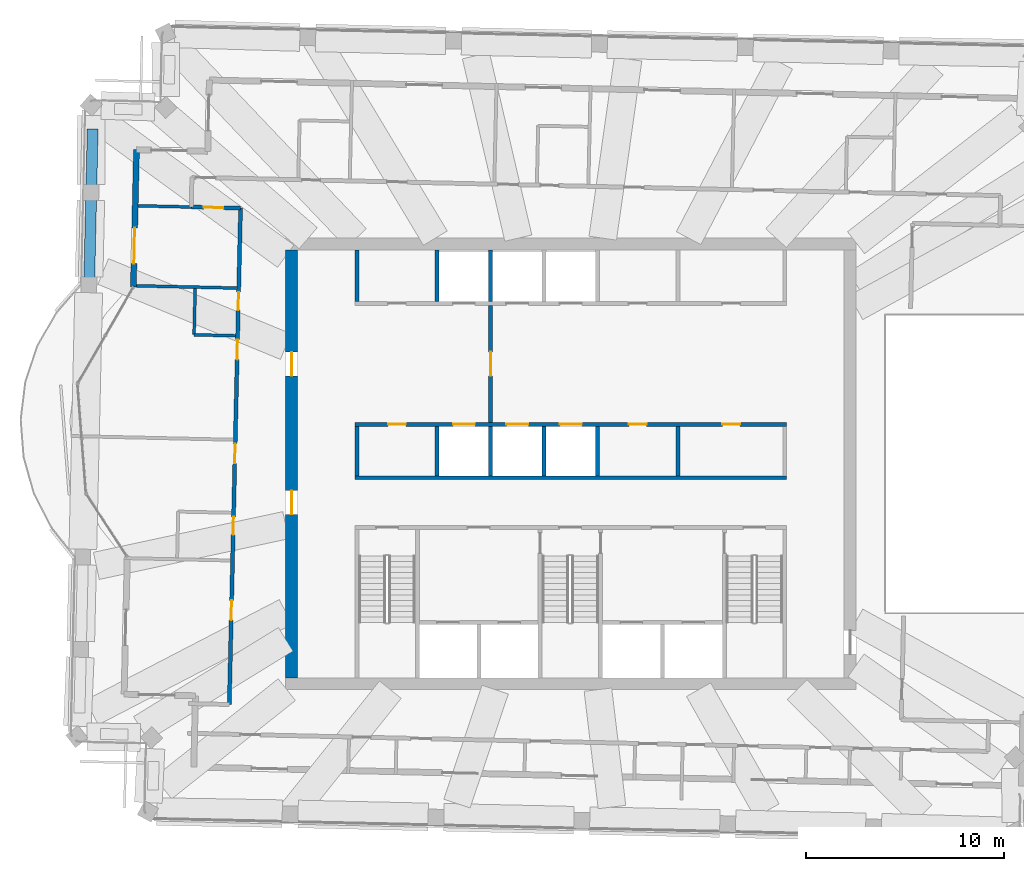
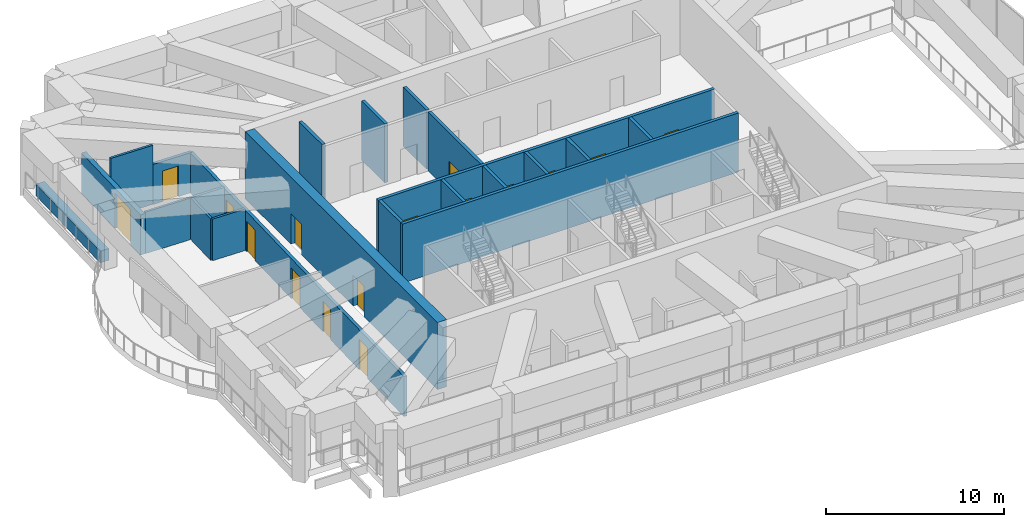
# One storey, part 10 of 19: 21 walls, 16 doors, 16 openings.
"""IFC4 building model written with IfcOpenShell, lengths in metres."""

from ifc_helpers import new_model, si_unit, direction, frame, frame_2d, origin, place, context, subcontext, project, spatial, rectangle, extrude, material, layer, layer_set, type_object, element, fill, save


model = new_model("IFC4")

# Units and contexts
model_context = context("Model", 3, precision=1e-05, world=origin(), true_north=direction((0.0, 1.0)))
body_context = subcontext(model_context, "Body", "Model", "MODEL_VIEW")
ifc_project = project(units=[si_unit("LENGTHUNIT", "METRE"), si_unit("AREAUNIT", "SQUARE_METRE"), si_unit("VOLUMEUNIT", "CUBIC_METRE"), si_unit("PLANEANGLEUNIT", "RADIAN"), si_unit("MASSUNIT", "GRAM", prefix="KILO")], contexts=[model_context])

# Site, building, storey
site_placement = place(None, origin())
site = spatial("IfcSite", under=ifc_project, at=site_placement, CompositionType="ELEMENT")
building_placement = place(site_placement, origin())
building = spatial("IfcBuilding", under=site, at=building_placement, Name="Mangrove Gate Tower", CompositionType="ELEMENT")
storey_placement = place(building_placement, frame((0.0, 0.0, 346.10009765625)))
storey = spatial("IfcBuildingStorey", under=building, at=storey_placement, Name="L88", CompositionType="ELEMENT", Elevation=346.10009765625)

# Wall, opening, door
ifc_material_1 = material(Name="Concrete C32/40", Category="concrete")
ifc_layer_1 = layer(ifc_material_1, 0.199951171875)
ifc_layer_set_1 = layer_set([ifc_layer_1], Name="Core lobby wall 200 C32/40")
wall_type_1 = type_object("IfcWallType", Name="Core lobby wall 200 C32/40", PredefinedType="STANDARD", material=ifc_layer_set_1)
wall_1_placement = place(storey_placement, frame((-4.050048828125, 2.10009765625, 0.0), z_axis=(0.0, 0.0, 1.0), x_axis=(0.0, 1.0, 0.0)))
wall_1 = element("IfcWall", 1, at=wall_1_placement, inside=storey, type_object=wall_type_1, Name="WALL-L88-CORE-33", PredefinedType="STANDARD", context=body_context, shape_type="SweptSolid", body=[
    extrude(rectangle(XDim=5.89990234375, YDim=0.199951171875, at=frame_2d((2.949951171875, 0.0))), origin(), (0.0, 0.0, 1.0), 4.0498046875),
])
opening_1_placement = place(wall_1_placement, frame((2.35009765625, 0.0, 0.0)))
opening_1 = element("IfcOpeningElement", 2, at=opening_1_placement, cuts=wall_1, Name="Opening FL12", PredefinedType="OPENING", context=body_context, shape_type="SweptSolid", body=[
    extrude(rectangle(XDim=1.199951171875, YDim=2.10009765625, at=frame_2d((0.60009765625, 1.050048828125))), frame((0.0, 0.10986328125, 0.0), z_axis=(0.0, -1.0, 0.0), x_axis=(1.0, 0.0, 0.0)), (0.0, 0.0, 1.0), 0.219970703125),
])
ifc_material_2 = material(Name="Fire-rated steel door set", Category="steel")
door_type_1 = type_object("IfcDoorType", Name="Lobby door FD60 1200x2100", OperationType="SINGLE_SWING_LEFT", PredefinedType="DOOR", material=ifc_material_2)
door_1_placement = place(opening_1_placement, origin())
door_1 = element("IfcDoor", 3, at=door_1_placement, inside=storey, type_object=door_type_1, Name="Lobby door lift lobby partition", OperationType="SINGLE_SWING_LEFT", OverallHeight=2.10009765625, OverallWidth=1.199951171875, PredefinedType="DOOR", context=body_context, shape_type="SweptSolid", body=[
    extrude(rectangle(XDim=1.199951171875, YDim=2.10009765625, at=frame_2d((0.60009765625, 1.050048828125))), frame((0.0, 0.02490234375, 0.0), z_axis=(0.0, -1.0, 0.0), x_axis=(1.0, 0.0, 0.0)), (0.0, 0.0, 1.0), 0.050048828125),
])
fill(opening_1, door_1)

# Walls
ifc_material_3 = material(Name="Concrete C32/40", Category="concrete")
ifc_layer_2 = layer(ifc_material_3, 0.199951171875)
ifc_layer_set_2 = layer_set([ifc_layer_2], Name="Core room wall 200 C32/40")
wall_type_2 = type_object("IfcWallType", Name="Core room wall 200 C32/40", PredefinedType="STANDARD", material=ifc_layer_set_2)
for number, where, z_axis, x_axis, name in (
    (4, (-10.800048828125, -0.60009765625, 0.0), (0.0, 0.0, 1.0), (0.0, 1.0, 0.0), "WALL-L88-CORE-19"),
    (5, (5.39990234375, -0.60009765625, 0.0), (0.0, 0.0, 1.0), (0.0, 1.0, 0.0), "WALL-L88-CORE-24"),
):
    element("IfcWall", number, at=place(storey_placement, frame(where, z_axis=z_axis, x_axis=x_axis)), inside=storey, type_object=wall_type_2, Name=name, PredefinedType="STANDARD", context=body_context, shape_type="SweptSolid", body=[
        extrude(rectangle(XDim=2.5, YDim=0.199951171875, at=frame_2d((1.25, 0.0))), origin(), (0.0, 0.0, 1.0), 4.0498046875),
    ])
wall_2_placement = place(storey_placement, frame((-10.800048828125, 8.199951171875, 0.0), z_axis=(0.0, 0.0, 1.0), x_axis=(0.0, 1.0, 0.0)))
element("IfcWall", 6, at=wall_2_placement, inside=storey, type_object=wall_type_2, Name="WALL-L88-CORE-26", PredefinedType="STANDARD", context=body_context, shape_type="SweptSolid", body=[
    extrude(rectangle(XDim=2.60009765625, YDim=0.199951171875, at=frame_2d((1.300048828125, 0.0))), origin(), (0.0, 0.0, 1.0), 4.0498046875),
])
ifc_material_4 = material(Name="Concrete C50/60", Category="concrete")
ifc_layer_3 = layer(ifc_material_4, 0.199951171875)
ifc_layer_set_3 = layer_set([ifc_layer_3], Name="Core shaft wall 200 C50/60")
wall_type_3 = type_object("IfcWallType", Name="Core shaft wall 200 C50/60", PredefinedType="SHEAR", material=ifc_layer_set_3)
wall_3_placement = place(storey_placement, frame((-10.89990234375, -0.699951171875, 0.0), z_axis=(0.0, 0.0, 1.0), x_axis=(1.0, 0.0, 0.0)))
element("IfcWall", 7, at=wall_3_placement, inside=storey, type_object=wall_type_3, Name="WALL-L88-CORE-6", PredefinedType="SHEAR", context=body_context, shape_type="SweptSolid", body=[
    extrude(rectangle(XDim=21.7998046875, YDim=0.199951171875, at=frame_2d((10.89990234375, 0.0))), origin(), (0.0, 0.0, 1.0), 4.0498046875),
])

# Wall, openings, doors
wall_4_placement = place(storey_placement, frame((-10.89990234375, 2.0, 0.0), z_axis=(0.0, 0.0, 1.0), x_axis=(1.0, 0.0, 0.0)))
wall_4 = element("IfcWall", 8, at=wall_4_placement, inside=storey, type_object=wall_type_3, Name="WALL-L88-CORE-7", PredefinedType="SHEAR", context=body_context, shape_type="SweptSolid", body=[
    extrude(rectangle(XDim=21.7998046875, YDim=0.199951171875, at=frame_2d((10.89990234375, 0.0))), origin(), (0.0, 0.0, 1.0), 4.0498046875),
])
opening_2_placement = place(wall_4_placement, frame((4.949951171875, 0.0, 0.0)))
opening_2 = element("IfcOpeningElement", 9, at=opening_2_placement, cuts=wall_4, Name="Opening LD", PredefinedType="OPENING", context=body_context, shape_type="SweptSolid", body=[
    extrude(rectangle(XDim=1.10009765625, YDim=2.10009765625, at=frame_2d((0.550048828125, 1.050048828125))), frame((0.0, 0.10986328125, 0.0), z_axis=(0.0, -1.0, 0.0), x_axis=(1.0, 0.0, 0.0)), (0.0, 0.0, 1.0), 0.219970703125),
])
opening_3_placement = place(wall_4_placement, frame((7.64990234375, 0.0, 0.0)))
opening_3 = element("IfcOpeningElement", 10, at=opening_3_placement, cuts=wall_4, Name="Opening LD", PredefinedType="OPENING", context=body_context, shape_type="SweptSolid", body=[
    extrude(rectangle(XDim=1.10009765625, YDim=2.10009765625, at=frame_2d((0.550048828125, 1.050048828125))), frame((0.0, 0.10986328125, 0.0), z_axis=(0.0, -1.0, 0.0), x_axis=(1.0, 0.0, 0.0)), (0.0, 0.0, 1.0), 0.219970703125),
])
opening_4_placement = place(wall_4_placement, frame((10.35009765625, 0.0, 0.0)))
opening_4 = element("IfcOpeningElement", 11, at=opening_4_placement, cuts=wall_4, Name="Opening LD", PredefinedType="OPENING", context=body_context, shape_type="SweptSolid", body=[
    extrude(rectangle(XDim=1.10009765625, YDim=2.10009765625, at=frame_2d((0.550048828125, 1.050048828125))), frame((0.0, 0.10986328125, 0.0), z_axis=(0.0, -1.0, 0.0), x_axis=(1.0, 0.0, 0.0)), (0.0, 0.0, 1.0), 0.219970703125),
])
opening_5_placement = place(wall_4_placement, frame((1.675048828125, 0.0, 0.0)))
opening_5 = element("IfcOpeningElement", 12, at=opening_5_placement, cuts=wall_4, Name="Opening RD", PredefinedType="OPENING", context=body_context, shape_type="SweptSolid", body=[
    extrude(rectangle(XDim=0.89990234375, YDim=2.10009765625, at=frame_2d((0.449951171875, 1.050048828125))), frame((0.0, 0.10986328125, 0.0), z_axis=(0.0, -1.0, 0.0), x_axis=(1.0, 0.0, 0.0)), (0.0, 0.0, 1.0), 0.219970703125),
])
opening_6_placement = place(wall_4_placement, frame((13.824951171875, 0.0, 0.0)))
opening_6 = element("IfcOpeningElement", 13, at=opening_6_placement, cuts=wall_4, Name="Opening KD", PredefinedType="OPENING", context=body_context, shape_type="SweptSolid", body=[
    extrude(rectangle(XDim=0.89990234375, YDim=2.10009765625, at=frame_2d((0.449951171875, 1.050048828125))), frame((0.0, 0.10986328125, 0.0), z_axis=(0.0, -1.0, 0.0), x_axis=(1.0, 0.0, 0.0)), (0.0, 0.0, 1.0), 0.219970703125),
])
opening_7_placement = place(wall_4_placement, frame((18.550048828125, 0.0, 0.0)))
opening_7 = element("IfcOpeningElement", 14, at=opening_7_placement, cuts=wall_4, Name="Opening KD", PredefinedType="OPENING", context=body_context, shape_type="SweptSolid", body=[
    extrude(rectangle(XDim=0.89990234375, YDim=2.10009765625, at=frame_2d((0.449951171875, 1.050048828125))), frame((0.0, 0.10986328125, 0.0), z_axis=(0.0, -1.0, 0.0), x_axis=(1.0, 0.0, 0.0)), (0.0, 0.0, 1.0), 0.219970703125),
])
ifc_material_5 = material(Name="Fire-rated steel door set", Category="steel")
door_type_2 = type_object("IfcDoorType", Name="Core room door FD30S 900x2100", OperationType="SINGLE_SWING_RIGHT", PredefinedType="DOOR", material=ifc_material_5)
door_2_placement = place(opening_6_placement, origin())
door_2 = element("IfcDoor", 15, at=door_2_placement, inside=storey, type_object=door_type_2, Name="Core room door Core WC", OperationType="SINGLE_SWING_RIGHT", OverallHeight=2.10009765625, OverallWidth=0.89990234375, PredefinedType="DOOR", context=body_context, shape_type="SweptSolid", body=[
    extrude(rectangle(XDim=0.89990234375, YDim=2.10009765625, at=frame_2d((0.449951171875, 1.050048828125))), frame((0.0, 0.02490234375, 0.0), z_axis=(0.0, -1.0, 0.0), x_axis=(1.0, 0.0, 0.0)), (0.0, 0.0, 1.0), 0.050048828125),
])
fill(opening_6, door_2)
door_3_placement = place(opening_7_placement, origin())
door_3 = element("IfcDoor", 16, at=door_3_placement, inside=storey, type_object=door_type_2, Name="Core room door Pantry store", OperationType="SINGLE_SWING_RIGHT", OverallHeight=2.10009765625, OverallWidth=0.89990234375, PredefinedType="DOOR", context=body_context, shape_type="SweptSolid", body=[
    extrude(rectangle(XDim=0.89990234375, YDim=2.10009765625, at=frame_2d((0.449951171875, 1.050048828125))), frame((0.0, 0.02490234375, 0.0), z_axis=(0.0, -1.0, 0.0), x_axis=(1.0, 0.0, 0.0)), (0.0, 0.0, 1.0), 0.050048828125),
])
fill(opening_7, door_3)
ifc_material_6 = material(Name="Stainless steel 316", Category="steel")
door_type_3 = type_object("IfcDoorType", Name="Lift landing door 1100x2100", OperationType="SLIDING_TO_LEFT", PredefinedType="DOOR", material=ifc_material_6)
door_4_placement = place(opening_2_placement, origin())
door_4 = element("IfcDoor", 17, at=door_4_placement, inside=storey, type_object=door_type_3, Name="Landing door LD H01", OperationType="SLIDING_TO_LEFT", OverallHeight=2.10009765625, OverallWidth=1.10009765625, PredefinedType="DOOR", context=body_context, shape_type="SweptSolid", body=[
    extrude(rectangle(XDim=1.10009765625, YDim=2.10009765625, at=frame_2d((0.550048828125, 1.050048828125))), frame((0.0, 0.02490234375, 0.0), z_axis=(0.0, -1.0, 0.0), x_axis=(1.0, 0.0, 0.0)), (0.0, 0.0, 1.0), 0.050048828125),
])
fill(opening_2, door_4)
door_5_placement = place(opening_3_placement, origin())
door_5 = element("IfcDoor", 18, at=door_5_placement, inside=storey, type_object=door_type_3, Name="Landing door LD H02", OperationType="SLIDING_TO_LEFT", OverallHeight=2.10009765625, OverallWidth=1.10009765625, PredefinedType="DOOR", context=body_context, shape_type="SweptSolid", body=[
    extrude(rectangle(XDim=1.10009765625, YDim=2.10009765625, at=frame_2d((0.550048828125, 1.050048828125))), frame((0.0, 0.02490234375, 0.0), z_axis=(0.0, -1.0, 0.0), x_axis=(1.0, 0.0, 0.0)), (0.0, 0.0, 1.0), 0.050048828125),
])
fill(opening_3, door_5)
door_6_placement = place(opening_4_placement, origin())
door_6 = element("IfcDoor", 19, at=door_6_placement, inside=storey, type_object=door_type_3, Name="Landing door LD H03", OperationType="SLIDING_TO_LEFT", OverallHeight=2.10009765625, OverallWidth=1.10009765625, PredefinedType="DOOR", context=body_context, shape_type="SweptSolid", body=[
    extrude(rectangle(XDim=1.10009765625, YDim=2.10009765625, at=frame_2d((0.550048828125, 1.050048828125))), frame((0.0, 0.02490234375, 0.0), z_axis=(0.0, -1.0, 0.0), x_axis=(1.0, 0.0, 0.0)), (0.0, 0.0, 1.0), 0.050048828125),
])
fill(opening_4, door_6)
ifc_material_7 = material(Name="Fire-rated steel door set", Category="steel")
door_type_4 = type_object("IfcDoorType", Name="Riser door FD30S 900x2100", OperationType="SINGLE_SWING_LEFT", PredefinedType="DOOR", material=ifc_material_7)
door_7_placement = place(opening_5_placement, origin())
door_7 = element("IfcDoor", 20, at=door_7_placement, inside=storey, type_object=door_type_4, Name="Riser door Comms room", OperationType="SINGLE_SWING_LEFT", OverallHeight=2.10009765625, OverallWidth=0.89990234375, PredefinedType="DOOR", context=body_context, shape_type="SweptSolid", body=[
    extrude(rectangle(XDim=0.89990234375, YDim=2.10009765625, at=frame_2d((0.449951171875, 1.050048828125))), frame((0.0, 0.02490234375, 0.0), z_axis=(0.0, -1.0, 0.0), x_axis=(1.0, 0.0, 0.0)), (0.0, 0.0, 1.0), 0.050048828125),
])
fill(opening_5, door_7)

# Walls
for number, where, z_axis, x_axis, name in (
    (21, (-6.75, -0.60009765625, 0.0), (0.0, 0.0, 1.0), (0.0, 1.0, 0.0), "WALL-L88-CORE-20"),
    (22, (-4.050048828125, -0.60009765625, 0.0), (0.0, 0.0, 1.0), (0.0, 1.0, 0.0), "WALL-L88-CORE-21"),
    (23, (-1.35009765625, -0.60009765625, 0.0), (0.0, 0.0, 1.0), (0.0, 1.0, 0.0), "WALL-L88-CORE-22"),
    (24, (1.35009765625, -0.60009765625, 0.0), (0.0, 0.0, 1.0), (0.0, 1.0, 0.0), "WALL-L88-CORE-23"),
):
    element("IfcWall", number, at=place(storey_placement, frame(where, z_axis=z_axis, x_axis=x_axis)), inside=storey, type_object=wall_type_3, Name=name, PredefinedType="SHEAR", context=body_context, shape_type="SweptSolid", body=[
        extrude(rectangle(XDim=2.5, YDim=0.199951171875, at=frame_2d((1.25, 0.0))), origin(), (0.0, 0.0, 1.0), 4.0498046875),
    ])
for number, where, z_axis, x_axis, name in (
    (25, (-6.75, 8.199951171875, 0.0), (0.0, 0.0, 1.0), (0.0, 1.0, 0.0), "WALL-L88-CORE-27"),
    (26, (-4.050048828125, 8.199951171875, 0.0), (0.0, 0.0, 1.0), (0.0, 1.0, 0.0), "WALL-L88-CORE-28"),
):
    element("IfcWall", number, at=place(storey_placement, frame(where, z_axis=z_axis, x_axis=x_axis)), inside=storey, type_object=wall_type_3, Name=name, PredefinedType="SHEAR", context=body_context, shape_type="SweptSolid", body=[
        extrude(rectangle(XDim=2.60009765625, YDim=0.199951171875, at=frame_2d((1.300048828125, 0.0))), origin(), (0.0, 0.0, 1.0), 4.0498046875),
    ])

# Wall, openings, doors
ifc_material_8 = material(Name="Concrete C50/60", Category="concrete")
ifc_layer_4 = layer(ifc_material_8, 0.60009765625)
ifc_layer_set_4 = layer_set([ifc_layer_4], Name="Core wall 600 C50/60")
wall_type_4 = type_object("IfcWallType", Name="Core wall 600 C50/60", PredefinedType="SHEAR", material=ifc_layer_set_4)
wall_5_placement = place(storey_placement, frame((-14.10009765625, -10.800048828125, 0.0), z_axis=(0.0, 0.0, 1.0), x_axis=(0.0, 1.0, 0.0)))
wall_5 = element("IfcWall", 27, at=wall_5_placement, inside=storey, type_object=wall_type_4, Name="WALL-L88-CORE-3", PredefinedType="SHEAR", context=body_context, shape_type="SweptSolid", body=[
    extrude(rectangle(XDim=21.60009765625, YDim=0.60009765625, at=frame_2d((10.800048828125, 0.0))), origin(), (0.0, 0.0, 1.0), 4.599853515625),
])
opening_8_placement = place(wall_5_placement, frame((8.25, 0.0, 0.0)))
opening_8 = element("IfcOpeningElement", 28, at=opening_8_placement, cuts=wall_5, Name="Opening CD", PredefinedType="OPENING", context=body_context, shape_type="SweptSolid", body=[
    extrude(rectangle(XDim=1.199951171875, YDim=2.10009765625, at=frame_2d((0.60009765625, 1.050048828125))), frame((0.0, 0.31005859375, 0.0), z_axis=(0.0, -1.0, 0.0), x_axis=(1.0, 0.0, 0.0)), (0.0, 0.0, 1.0), 0.6201171875),
])
opening_9_placement = place(wall_5_placement, frame((15.25, 0.0, 0.0)))
opening_9 = element("IfcOpeningElement", 29, at=opening_9_placement, cuts=wall_5, Name="Opening CD", PredefinedType="OPENING", context=body_context, shape_type="SweptSolid", body=[
    extrude(rectangle(XDim=1.199951171875, YDim=2.10009765625, at=frame_2d((0.60009765625, 1.050048828125))), frame((0.0, 0.31005859375, 0.0), z_axis=(0.0, -1.0, 0.0), x_axis=(1.0, 0.0, 0.0)), (0.0, 0.0, 1.0), 0.6201171875),
])
ifc_material_9 = material(Name="Fire-rated steel door set", Category="steel")
door_type_5 = type_object("IfcDoorType", Name="Core ring door FD60 1200x2100", OperationType="DOUBLE_DOOR_SINGLE_SWING", PredefinedType="DOOR", material=ifc_material_9)
door_8_placement = place(opening_8_placement, origin())
door_8 = element("IfcDoor", 30, at=door_8_placement, inside=storey, type_object=door_type_5, Name="Core ring door W1", OperationType="DOUBLE_DOOR_SINGLE_SWING", OverallHeight=2.10009765625, OverallWidth=1.199951171875, PredefinedType="DOOR", context=body_context, shape_type="SweptSolid", body=[
    extrude(rectangle(XDim=1.199951171875, YDim=2.10009765625, at=frame_2d((0.60009765625, 1.050048828125))), frame((0.0, 0.02490234375, 0.0), z_axis=(0.0, -1.0, 0.0), x_axis=(1.0, 0.0, 0.0)), (0.0, 0.0, 1.0), 0.050048828125),
])
fill(opening_8, door_8)
door_9_placement = place(opening_9_placement, origin())
door_9 = element("IfcDoor", 31, at=door_9_placement, inside=storey, type_object=door_type_5, Name="Core ring door W2", OperationType="DOUBLE_DOOR_SINGLE_SWING", OverallHeight=2.10009765625, OverallWidth=1.199951171875, PredefinedType="DOOR", context=body_context, shape_type="SweptSolid", body=[
    extrude(rectangle(XDim=1.199951171875, YDim=2.10009765625, at=frame_2d((0.60009765625, 1.050048828125))), frame((0.0, 0.02490234375, 0.0), z_axis=(0.0, -1.0, 0.0), x_axis=(1.0, 0.0, 0.0)), (0.0, 0.0, 1.0), 0.050048828125),
])
fill(opening_9, door_9)

ifc_material_10 = material(Name="Gypsum board on steel stud, EI 60", Category="steel")
ifc_layer_5 = layer(ifc_material_10, 0.199951171875)
ifc_layer_set_5 = layer_set([ifc_layer_5], Name="Corridor wall EI 60")
wall_type_5 = type_object("IfcWallType", Name="Corridor wall EI 60", PredefinedType="PARTITIONING", material=ifc_layer_set_5)
wall_6_placement = place(storey_placement, frame((-17.2470703125, -12.14892578125, 0.0), z_axis=(0.0, 0.0, 1.0), x_axis=(0.022696191528, 0.999742408268, 0.0)))
wall_6 = element("IfcWall", 32, at=wall_6_placement, inside=storey, type_object=wall_type_5, Name="WALL-L88-013", PredefinedType="PARTITIONING", context=body_context, shape_type="SweptSolid", body=[
    extrude(rectangle(XDim=25.07421875, YDim=0.199951171875, at=frame_2d((12.537109375, 0.0))), origin(), (0.0, 0.0, 1.0), 2.75),
])
opening_10_placement = place(wall_6_placement, frame((17.425048828125, 0.0, 0.0)))
opening_10 = element("IfcOpeningElement", 33, at=opening_10_placement, cuts=wall_6, Name="Opening AD", PredefinedType="OPENING", context=body_context, shape_type="SweptSolid", body=[
    extrude(rectangle(XDim=1.0, YDim=2.10009765625, at=frame_2d((0.5, 1.050048828125))), frame((0.0, 0.10986328125, 0.0), z_axis=(0.0, -1.0, 0.0), x_axis=(1.0, 0.0, 0.0)), (0.0, 0.0, 1.0), 0.219970703125),
])
opening_11_placement = place(wall_6_placement, frame((19.925048828125, 0.0, 0.0)))
opening_11 = element("IfcOpeningElement", 34, at=opening_11_placement, cuts=wall_6, Name="Opening SD", PredefinedType="OPENING", context=body_context, shape_type="SweptSolid", body=[
    extrude(rectangle(XDim=0.89990234375, YDim=2.10009765625, at=frame_2d((0.449951171875, 1.050048828125))), frame((0.0, 0.10986328125, 0.0), z_axis=(0.0, -1.0, 0.0), x_axis=(1.0, 0.0, 0.0)), (0.0, 0.0, 1.0), 0.219970703125),
])
opening_12_placement = place(wall_6_placement, frame((12.175048828125, 0.0, 0.0)))
opening_12 = element("IfcOpeningElement", 35, at=opening_12_placement, cuts=wall_6, Name="Opening AD", PredefinedType="OPENING", context=body_context, shape_type="SweptSolid", body=[
    extrude(rectangle(XDim=1.0, YDim=2.10009765625, at=frame_2d((0.5, 1.050048828125))), frame((0.0, 0.10986328125, 0.0), z_axis=(0.0, -1.0, 0.0), x_axis=(1.0, 0.0, 0.0)), (0.0, 0.0, 1.0), 0.219970703125),
])
opening_13_placement = place(wall_6_placement, frame((8.574951171875, 0.0, 0.0)))
opening_13 = element("IfcOpeningElement", 36, at=opening_13_placement, cuts=wall_6, Name="Opening SD", PredefinedType="OPENING", context=body_context, shape_type="SweptSolid", body=[
    extrude(rectangle(XDim=0.89990234375, YDim=2.10009765625, at=frame_2d((0.449951171875, 1.050048828125))), frame((0.0, 0.10986328125, 0.0), z_axis=(0.0, -1.0, 0.0), x_axis=(1.0, 0.0, 0.0)), (0.0, 0.0, 1.0), 0.219970703125),
])
opening_14_placement = place(wall_6_placement, frame((4.259033203125, 0.0, 0.0)))
opening_14 = element("IfcOpeningElement", 37, at=opening_14_placement, cuts=wall_6, Name="Opening AD", PredefinedType="OPENING", context=body_context, shape_type="SweptSolid", body=[
    extrude(rectangle(XDim=1.0, YDim=2.10009765625, at=frame_2d((0.5, 1.050048828125))), frame((0.0, 0.10986328125, 0.0), z_axis=(0.0, -1.0, 0.0), x_axis=(1.0, 0.0, 0.0)), (0.0, 0.0, 1.0), 0.219970703125),
])
ifc_material_11 = material(Name="Timber door leaf", Category="wood")
door_type_6 = type_object("IfcDoorType", Name="Amenity door 1000", OperationType="SINGLE_SWING_LEFT", PredefinedType="DOOR", material=ifc_material_11)
door_10_placement = place(opening_10_placement, origin())
door_10 = element("IfcDoor", 38, at=door_10_placement, inside=storey, type_object=door_type_6, Name="DOOR-L88-GAM-c5a", OperationType="SINGLE_SWING_RIGHT", OverallHeight=2.10009765625, OverallWidth=1.0, PredefinedType="DOOR", context=body_context, shape_type="SweptSolid", body=[
    extrude(rectangle(XDim=1.0, YDim=2.10009765625, at=frame_2d((0.5, 1.050048828125))), frame((0.0, 0.02490234375, 0.0), z_axis=(0.0, -1.0, 0.0), x_axis=(1.0, 0.0, 0.0)), (0.0, 0.0, 1.0), 0.050048828125),
])
fill(opening_10, door_10)
door_11_placement = place(opening_12_placement, origin())
door_11 = element("IfcDoor", 39, at=door_11_placement, inside=storey, type_object=door_type_6, Name="DOOR-L88-KIT-c5a", OperationType="SINGLE_SWING_LEFT", OverallHeight=2.10009765625, OverallWidth=1.0, PredefinedType="DOOR", context=body_context, shape_type="SweptSolid", body=[
    extrude(rectangle(XDim=1.0, YDim=2.10009765625, at=frame_2d((0.5, 1.050048828125))), frame((0.0, 0.02490234375, 0.0), z_axis=(0.0, -1.0, 0.0), x_axis=(1.0, 0.0, 0.0)), (0.0, 0.0, 1.0), 0.050048828125),
])
fill(opening_12, door_11)
door_12_placement = place(opening_14_placement, origin())
door_12 = element("IfcDoor", 40, at=door_12_placement, inside=storey, type_object=door_type_6, Name="DOOR-L88-LNG-c5a", OperationType="SINGLE_SWING_RIGHT", OverallHeight=2.10009765625, OverallWidth=1.0, PredefinedType="DOOR", context=body_context, shape_type="SweptSolid", body=[
    extrude(rectangle(XDim=1.0, YDim=2.10009765625, at=frame_2d((0.5, 1.050048828125))), frame((0.0, 0.02490234375, 0.0), z_axis=(0.0, -1.0, 0.0), x_axis=(1.0, 0.0, 0.0)), (0.0, 0.0, 1.0), 0.050048828125),
])
fill(opening_14, door_12)
ifc_material_12 = material(Name="Timber door leaf", Category="wood")
door_type_7 = type_object("IfcDoorType", Name="Service room door 900", OperationType="SINGLE_SWING_LEFT", PredefinedType="DOOR", material=ifc_material_12)
door_13_placement = place(opening_11_placement, origin())
door_13 = element("IfcDoor", 41, at=door_13_placement, inside=storey, type_object=door_type_7, Name="DOOR-L88-LIN-c5a", OperationType="SINGLE_SWING_RIGHT", OverallHeight=2.10009765625, OverallWidth=0.89990234375, PredefinedType="DOOR", context=body_context, shape_type="SweptSolid", body=[
    extrude(rectangle(XDim=0.89990234375, YDim=2.10009765625, at=frame_2d((0.449951171875, 1.050048828125))), frame((0.0, 0.02490234375, 0.0), z_axis=(0.0, -1.0, 0.0), x_axis=(1.0, 0.0, 0.0)), (0.0, 0.0, 1.0), 0.050048828125),
])
fill(opening_11, door_13)
door_14_placement = place(opening_13_placement, origin())
door_14 = element("IfcDoor", 42, at=door_14_placement, inside=storey, type_object=door_type_7, Name="DOOR-L88-WC-c5a", OperationType="SINGLE_SWING_LEFT", OverallHeight=2.10009765625, OverallWidth=0.89990234375, PredefinedType="DOOR", context=body_context, shape_type="SweptSolid", body=[
    extrude(rectangle(XDim=0.89990234375, YDim=2.10009765625, at=frame_2d((0.449951171875, 1.050048828125))), frame((0.0, 0.02490234375, 0.0), z_axis=(0.0, -1.0, 0.0), x_axis=(1.0, 0.0, 0.0)), (0.0, 0.0, 1.0), 0.050048828125),
])
fill(opening_13, door_14)

# Wall, opening, door
wall_7_placement = place(storey_placement, frame((-19.166015625, 12.970947265625, 0.0), z_axis=(0.0, 0.0, 1.0), x_axis=(0.999747428818, -0.022473953195, 0.0)))
wall_7 = element("IfcWall", 43, at=wall_7_placement, inside=storey, type_object=wall_type_5, Name="WALL-L88-026", PredefinedType="PARTITIONING", context=body_context, shape_type="SweptSolid", body=[
    extrude(rectangle(XDim=2.48779296875, YDim=0.199951171875, at=frame_2d((1.243896484375, 0.0))), origin(), (0.0, 0.0, 1.0), 2.75),
])
opening_15_placement = place(wall_7_placement, frame((0.6220703125, 0.0, 0.0)))
opening_15 = element("IfcOpeningElement", 44, at=opening_15_placement, cuts=wall_7, Name="Opening AD", PredefinedType="OPENING", context=body_context, shape_type="SweptSolid", body=[
    extrude(rectangle(XDim=1.0, YDim=2.10009765625, at=frame_2d((0.5, 1.050048828125))), frame((0.0, 0.10986328125, 0.0), z_axis=(0.0, -1.0, 0.0), x_axis=(1.0, 0.0, 0.0)), (0.0, 0.0, 1.0), 0.219970703125),
])
door_15_placement = place(opening_15_placement, origin())
door_15 = element("IfcDoor", 45, at=door_15_placement, inside=storey, type_object=door_type_6, Name="DOOR-L88-KIT-c4a", OperationType="SINGLE_SWING_LEFT", OverallHeight=2.10009765625, OverallWidth=1.0, PredefinedType="DOOR", context=body_context, shape_type="SweptSolid", body=[
    extrude(rectangle(XDim=1.0, YDim=2.10009765625, at=frame_2d((0.5, 1.050048828125))), frame((0.0, 0.02490234375, 0.0), z_axis=(0.0, -1.0, 0.0), x_axis=(1.0, 0.0, 0.0)), (0.0, 0.0, 1.0), 0.050048828125),
])
fill(opening_15, door_15)

ifc_material_13 = material(Name="Limestone", Category="masonry")
ifc_layer_6 = layer(ifc_material_13, 0.0400390625, Name="Limestone cladding")
ifc_material_14 = material(Name="Ventilated air gap")
ifc_layer_7 = layer(ifc_material_14, 0.0400390625, Name="Ventilated cavity")
ifc_material_15 = material(Name="Mineral wool insulation")
ifc_layer_8 = layer(ifc_material_15, 0.06005859375, Name="Insulation")
ifc_material_16 = material(Name="Breather membrane")
ifc_layer_9 = layer(ifc_material_16, 0.001953125, Name="Breather membrane")
ifc_material_17 = material(Name="Concrete C20/25 blockwork", Category="masonry")
ifc_layer_10 = layer(ifc_material_17, 0.14990234375, Name="Blockwork backing wall")
ifc_material_18 = material(Name="Gypsum plaster")
ifc_layer_11 = layer(ifc_material_18, 0.008056640625, Name="Internal plaster")
ifc_layer_set_6 = layer_set([ifc_layer_6, ifc_layer_7, ifc_layer_8, ifc_layer_9, ifc_layer_10, ifc_layer_11], Name="External wall 300 limestone cladding")
wall_type_6 = type_object("IfcWallType", Name="External wall 300 limestone cladding", PredefinedType="SOLIDWALL", material=ifc_layer_set_6)
wall_8_placement = place(storey_placement, frame((-21.93310546875, 15.864990234375, 0.0), z_axis=(0.0, 0.0, 1.0), x_axis=(-0.022653381007, -0.999743379237, 0.0)))
wall_8 = element("IfcWall", 46, at=wall_8_placement, inside=storey, type_object=wall_type_6, Name="WALL-L88-W8", PredefinedType="SOLIDWALL", context=body_context, shape_type="SweptSolid", body=[
    extrude(rectangle(XDim=6.9296875, YDim=0.300048828125, at=frame_2d((3.46484375, 0.0))), origin(), (0.0, 0.0, 1.0), 2.75),
])
opening_16_placement = place(wall_8_placement, frame((3.949951171875, 0.0, 0.0)))
opening_16 = element("IfcOpeningElement", 47, at=opening_16_placement, cuts=wall_8, Name="Opening TD1", PredefinedType="OPENING", context=body_context, shape_type="SweptSolid", body=[
    extrude(rectangle(XDim=1.800048828125, YDim=2.39990234375, at=frame_2d((0.89990234375, 1.199951171875))), frame((0.0, 0.159912109375, 0.0), z_axis=(0.0, -1.0, 0.0), x_axis=(1.0, 0.0, 0.0)), (0.0, 0.0, 1.0), 0.320068359375),
])
ifc_material_19 = material(Name="Aluminium frame with laminated clear glass", Category="aluminium")
door_type_8 = type_object("IfcDoorType", Name="Terrace door 1800x2400", OperationType="DOUBLE_DOOR_SINGLE_SWING", PredefinedType="DOOR", material=ifc_material_19)
door_16_placement = place(opening_16_placement, origin())
door_16 = element("IfcDoor", 48, at=door_16_placement, inside=storey, type_object=door_type_8, Name="DOOR-L88-W8-1", OperationType="DOUBLE_DOOR_SINGLE_SWING", OverallHeight=2.39990234375, OverallWidth=1.800048828125, PredefinedType="DOOR", context=body_context, shape_type="SweptSolid", body=[
    extrude(rectangle(XDim=1.800048828125, YDim=2.39990234375, at=frame_2d((0.89990234375, 1.199951171875))), frame((0.0, 0.02490234375, 0.0), z_axis=(0.0, -1.0, 0.0), x_axis=(1.0, 0.0, 0.0)), (0.0, 0.0, 1.0), 0.050048828125),
])
fill(opening_16, door_16)

# Walls
ifc_material_20 = material(Name="Gypsum board on steel stud, EI 60", Category="steel")
ifc_layer_12 = layer(ifc_material_20, 0.14990234375)
ifc_layer_set_7 = layer_set([ifc_layer_12], Name="Party wall 150 EI 60")
wall_type_7 = type_object("IfcWallType", Name="Party wall 150 EI 60", PredefinedType="PARTITIONING", material=ifc_layer_set_7)
wall_9_placement = place(storey_placement, frame((-19.02490234375, 6.51708984375, 0.0), z_axis=(0.0, 0.0, 1.0), x_axis=(0.999737555419, -0.022908956429, 0.0)))
element("IfcWall", 49, at=wall_9_placement, inside=storey, type_object=wall_type_7, Name="WALL-L88-021", PredefinedType="PARTITIONING", context=body_context, shape_type="SweptSolid", body=[
    extrude(rectangle(XDim=2.099365234375, YDim=0.14990234375, at=frame_2d((1.0498046875, 0.0))), origin(), (0.0, 0.0, 1.0), 2.849853515625),
])
wall_10_placement = place(storey_placement, frame((-19.02392578125, 6.52197265625, 0.0), z_axis=(0.0, 0.0, 1.0), x_axis=(0.02279059109, 0.999740260747, 0.0)))
element("IfcWall", 50, at=wall_10_placement, inside=storey, type_object=wall_type_7, Name="WALL-L88-022", PredefinedType="PARTITIONING", context=body_context, shape_type="SweptSolid", body=[
    extrude(rectangle(XDim=2.324462890625, YDim=0.14990234375, at=frame_2d((1.162109375, 0.0))), origin(), (0.0, 0.0, 1.0), 2.849853515625),
])
wall_11_placement = place(storey_placement, frame((-21.93896484375, 8.992919921875, 0.0), z_axis=(0.0, 0.0, 1.0), x_axis=(0.999742680233, -0.022684208613, 0.0)))
element("IfcWall", 51, at=wall_11_placement, inside=storey, type_object=wall_type_7, Name="WALL-L88-024", PredefinedType="PARTITIONING", context=body_context, shape_type="SweptSolid", body=[
    extrude(rectangle(XDim=5.069091796875, YDim=0.14990234375, at=frame_2d((2.53466796875, 0.0))), origin(), (0.0, 0.0, 1.0), 2.849853515625),
])
wall_12_placement = place(storey_placement, frame((-21.846923828125, 13.031982421875, 0.0), z_axis=(0.0, 0.0, 1.0), x_axis=(0.999741694725, -0.022727600589, 0.0)))
element("IfcWall", 52, at=wall_12_placement, inside=storey, type_object=wall_type_7, Name="WALL-L88-025", PredefinedType="PARTITIONING", context=body_context, shape_type="SweptSolid", body=[
    extrude(rectangle(XDim=2.685546875, YDim=0.14990234375, at=frame_2d((1.3427734375, 0.0))), origin(), (0.0, 0.0, 1.0), 4.0498046875),
])
ifc_material_21 = material(Name="Concrete C32/40", Category="concrete")
ifc_layer_13 = layer(ifc_material_21, 0.199951171875, Name="Planter trough wall")
ifc_material_22 = material(Name="Bituminous waterproofing membrane")
ifc_layer_14 = layer(ifc_material_22, 0.0048828125, Name="Waterproofing")
ifc_material_23 = material(Name="Drainage board and gravel")
ifc_layer_15 = layer(ifc_material_23, 0.044921875, Name="Drainage layer")
ifc_material_24 = material(Name="Planting soil")
ifc_layer_16 = layer(ifc_material_24, 0.300048828125, Name="Growing medium")
ifc_layer_set_8 = layer_set([ifc_layer_13, ifc_layer_14, ifc_layer_15, ifc_layer_16], Name="Planter wall 550 C32/40")
wall_type_8 = type_object("IfcWallType", Name="Planter wall 550 C32/40", PredefinedType="USERDEFINED", material=ifc_layer_set_8)
wall_13_placement = place(storey_placement, frame((-24.31494140625, 9.405029296875, 0.0), z_axis=(0.0, 0.0, 1.0), x_axis=(0.022620263121, 0.999744129113, 0.0)))
element("IfcWall", 53, at=wall_13_placement, inside=storey, type_object=wall_type_8, Name="PLANTER L88 T3.1.25", ObjectType="PLANTER", PredefinedType="USERDEFINED", context=body_context, shape_type="SweptSolid", body=[
    extrude(rectangle(XDim=7.511962890625, YDim=0.550048828125, at=frame_2d((3.755859375, 0.0))), origin(), (0.0, 0.0, 1.0), 0.7998046875),
])

save(model, "model.ifc")
